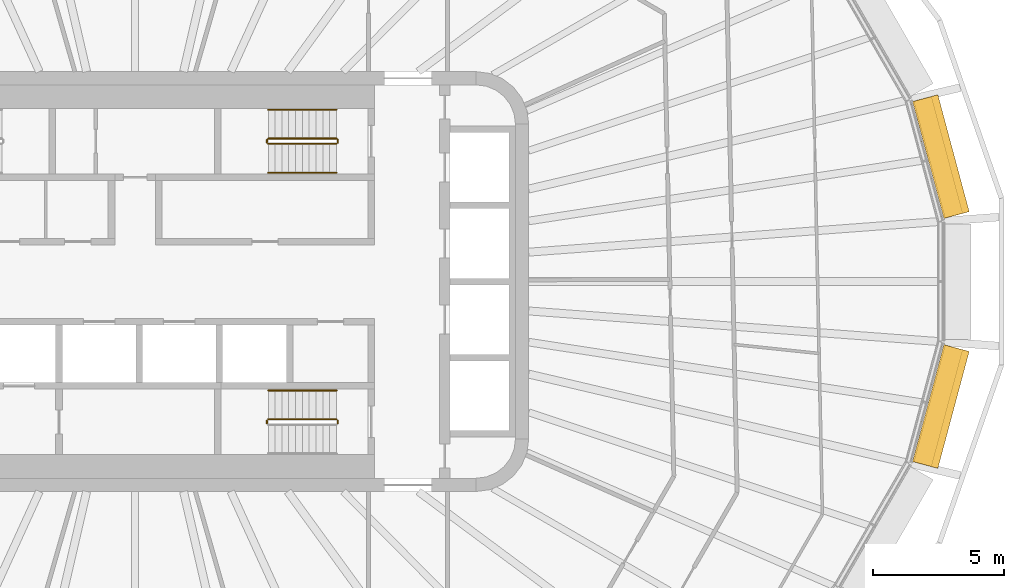
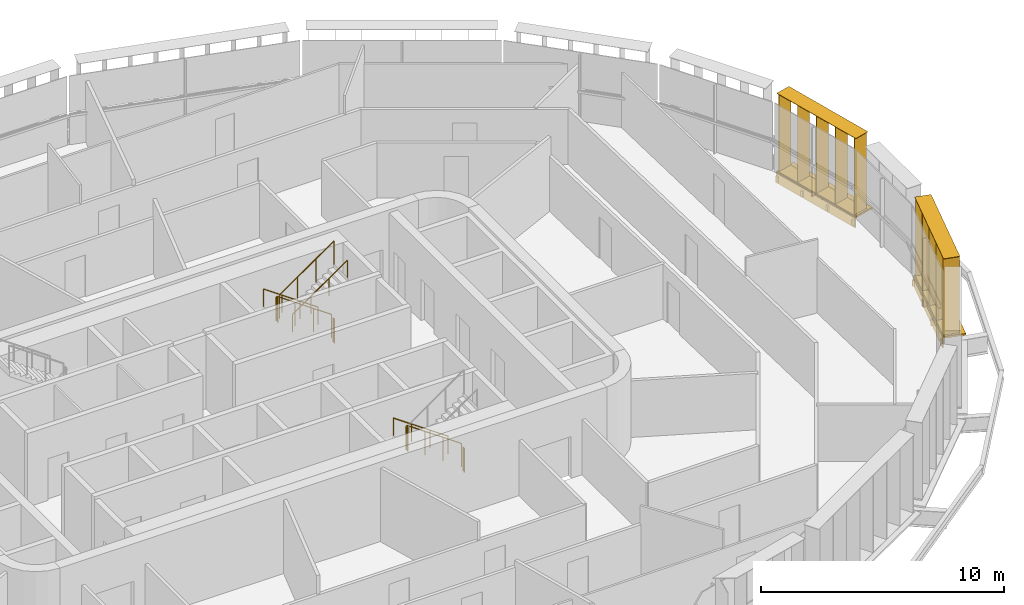
# One storey, part 20 of 22: 10 railings, 4 shading devices.
"""IFC4 building model written with IfcOpenShell, lengths in metres."""

from ifc_helpers import new_model, si_unit, direction, frame, origin, origin_2d, place, context, subcontext, project, spatial, rectangle, circle, extrude, material, type_object, element, save


model = new_model("IFC4")

# Units and contexts
model_context = context("Model", 3, precision=1e-05, world=origin(), true_north=direction((0.0, 1.0)))
body_context = subcontext(model_context, "Body", "Model", "MODEL_VIEW")
ifc_project = project(units=[si_unit("LENGTHUNIT", "METRE"), si_unit("AREAUNIT", "SQUARE_METRE"), si_unit("VOLUMEUNIT", "CUBIC_METRE"), si_unit("PLANEANGLEUNIT", "RADIAN"), si_unit("MASSUNIT", "GRAM", prefix="KILO")], contexts=[model_context])

# Site, building, storey
site_placement = place(None, origin())
site = spatial("IfcSite", under=ifc_project, at=site_placement, CompositionType="ELEMENT")
building_placement = place(site_placement, origin())
building = spatial("IfcBuilding", under=site, at=building_placement, Name="Sahrelin Media Tower", CompositionType="ELEMENT")
storey_placement = place(building_placement, frame((0.0, 0.0, 189.60009765625)))
storey = spatial("IfcBuildingStorey", under=building, at=storey_placement, Name="L40", CompositionType="ELEMENT", Elevation=189.60009765625)

# Shading devices
ifc_material_1 = material(Name="Champagne anodised aluminium 6063-T6", Category="aluminium")
shading_device_type_1 = type_object("IfcShadingDeviceType", Name="Fin cassette", PredefinedType="USERDEFINED", material=ifc_material_1)
placement_1 = place(storey_placement, frame((30.2041015625, 4.627197265625, 0.0), z_axis=(0.0, 0.0, 1.0), x_axis=(0.258807731996, -0.965928857556, 0.0)))
element("IfcShadingDevice", 1, at=placement_1, inside=storey, type_object=shading_device_type_1, Name="L40:FIN:L40-01", ObjectType="FIN", PredefinedType="USERDEFINED", context=body_context, shape_type="SweptSolid", body=[
    extrude(rectangle(XDim=4.60009765625, YDim=0.699951171875, at=origin_2d()), frame((0.0, 0.419921875, 0.0)), (0.0, 0.0, 1.0), 0.02001953125),
    extrude(rectangle(XDim=4.60009765625, YDim=0.699951171875, at=origin_2d()), frame((0.0, 0.419921875, 3.89990234375)), (0.0, 0.0, 1.0), 0.02001953125),
    extrude(rectangle(XDim=0.02001953125, YDim=0.699951171875, at=origin_2d()), frame((-2.199951171875, 0.419921875, 0.010009765625), z_axis=(0.0, 0.0, 1.0), x_axis=(1.0, 0.0, 0.0)), (0.0, 0.0, 1.0), 3.89990234375),
    extrude(rectangle(XDim=0.02001953125, YDim=0.699951171875, at=origin_2d()), frame((-1.10009765625, 0.419921875, 0.010009765625), z_axis=(0.0, 0.0, 1.0), x_axis=(1.0, 0.0, 0.0)), (0.0, 0.0, 1.0), 3.89990234375),
    extrude(rectangle(XDim=0.02001953125, YDim=0.699951171875, at=origin_2d()), frame((0.0, 0.419921875, 0.010009765625), z_axis=(0.0, 0.0, 1.0), x_axis=(1.0, 0.0, 0.0)), (0.0, 0.0, 1.0), 3.89990234375),
    extrude(rectangle(XDim=0.02001953125, YDim=0.699951171875, at=origin_2d()), frame((1.10009765625, 0.419921875, 0.010009765625), z_axis=(0.0, 0.0, 1.0), x_axis=(1.0, 0.0, 0.0)), (0.0, 0.0, 1.0), 3.89990234375),
    extrude(rectangle(XDim=0.02001953125, YDim=0.699951171875, at=origin_2d()), frame((2.199951171875, 0.419921875, 0.010009765625), z_axis=(0.0, 0.0, 1.0), x_axis=(1.0, 0.0, 0.0)), (0.0, 0.0, 1.0), 3.89990234375),
])
placement_2 = place(storey_placement, frame((30.2041015625, -4.627197265625, 0.0), z_axis=(0.0, 0.0, 1.0), x_axis=(-0.258807731996, -0.965928857556, 0.0)))
element("IfcShadingDevice", 2, at=placement_2, inside=storey, type_object=shading_device_type_1, Name="L40:FIN:L40-23", ObjectType="FIN", PredefinedType="USERDEFINED", context=body_context, shape_type="SweptSolid", body=[
    extrude(rectangle(XDim=4.60009765625, YDim=0.699951171875, at=origin_2d()), frame((0.0, 0.419921875, 0.0)), (0.0, 0.0, 1.0), 0.02001953125),
    extrude(rectangle(XDim=4.60009765625, YDim=0.699951171875, at=origin_2d()), frame((0.0, 0.419921875, 3.89990234375)), (0.0, 0.0, 1.0), 0.02001953125),
    extrude(rectangle(XDim=0.02001953125, YDim=0.699951171875, at=origin_2d()), frame((-2.199951171875, 0.419921875, 0.010009765625), z_axis=(0.0, 0.0, 1.0), x_axis=(1.0, 0.0, 0.0)), (0.0, 0.0, 1.0), 3.89990234375),
    extrude(rectangle(XDim=0.02001953125, YDim=0.699951171875, at=origin_2d()), frame((-1.10009765625, 0.419921875, 0.010009765625), z_axis=(0.0, 0.0, 1.0), x_axis=(1.0, 0.0, 0.0)), (0.0, 0.0, 1.0), 3.89990234375),
    extrude(rectangle(XDim=0.02001953125, YDim=0.699951171875, at=origin_2d()), frame((0.0, 0.419921875, 0.010009765625), z_axis=(0.0, 0.0, 1.0), x_axis=(1.0, 0.0, 0.0)), (0.0, 0.0, 1.0), 3.89990234375),
    extrude(rectangle(XDim=0.02001953125, YDim=0.699951171875, at=origin_2d()), frame((1.10009765625, 0.419921875, 0.010009765625), z_axis=(0.0, 0.0, 1.0), x_axis=(1.0, 0.0, 0.0)), (0.0, 0.0, 1.0), 3.89990234375),
    extrude(rectangle(XDim=0.02001953125, YDim=0.699951171875, at=origin_2d()), frame((2.199951171875, 0.419921875, 0.010009765625), z_axis=(0.0, 0.0, 1.0), x_axis=(1.0, 0.0, 0.0)), (0.0, 0.0, 1.0), 3.89990234375),
])

# Railings
ifc_material_2 = material(Name="Steel S355", Category="steel")
railing_type_1 = type_object("IfcRailingType", Name="Stair guard 1200", PredefinedType="GUARDRAIL", material=ifc_material_2)
railing_1_placement = place(storey_placement, frame((7.675048828125, 5.449951171875, 0.181640625)))
element("IfcRailing", 3, at=railing_1_placement, inside=storey, type_object=railing_type_1, Name="L40 ST3 stair guard 1", PredefinedType="GUARDRAIL", context=body_context, shape_type="SweptSolid", body=[
    extrude(circle(Radius=0.02392578125, at=origin_2d()), frame((0.0, 0.0, 1.17578125), z_axis=(-0.819484887739, 0.0, 0.573100792852), x_axis=(0.0, -1.0, 0.0)), (0.0, 0.0, 1.0), 3.1728515625),
    extrude(circle(Radius=0.02099609375, at=origin_2d()), origin(), (0.0, 0.0, 1.0), 1.15185546875),
    extrude(circle(Radius=0.02099609375, at=origin_2d()), frame((-0.86669921875, 0.0, 0.606201171875)), (0.0, 0.0, 1.0), 1.15185546875),
    extrude(circle(Radius=0.02099609375, at=origin_2d()), frame((-1.7333984375, 0.0, 1.212158203125)), (0.0, 0.0, 1.0), 1.15185546875),
    extrude(circle(Radius=0.02099609375, at=origin_2d()), frame((-2.60009765625, 0.0, 1.818359375)), (0.0, 0.0, 1.0), 1.15185546875),
])
railing_2_placement = place(storey_placement, frame((5.02490234375, 5.39990234375, 2.0)))
element("IfcRailing", 4, at=railing_2_placement, inside=storey, type_object=railing_type_1, Name="L40 ST3 stair guard 2", PredefinedType="GUARDRAIL", context=body_context, shape_type="SweptSolid", body=[
    extrude(circle(Radius=0.02392578125, at=origin_2d()), frame((0.0, 0.0, 1.17578125), z_axis=(0.0, -1.0, 0.0), x_axis=(1.0, 0.0, 0.0)), (0.0, 0.0, 1.0), 0.099853515625),
    extrude(circle(Radius=0.02099609375, at=origin_2d()), origin(), (0.0, 0.0, 1.0), 1.15185546875),
    extrude(circle(Radius=0.02099609375, at=origin_2d()), frame((0.0, -0.099853515625, 0.0)), (0.0, 0.0, 1.0), 1.15185546875),
])
railing_3_placement = place(storey_placement, frame((5.074951171875, 5.25, 2.181640625)))
element("IfcRailing", 5, at=railing_3_placement, inside=storey, type_object=railing_type_1, Name="L40 ST3 stair guard 3", PredefinedType="GUARDRAIL", context=body_context, shape_type="SweptSolid", body=[
    extrude(circle(Radius=0.02392578125, at=origin_2d()), frame((0.0, 0.0, 1.17578125), z_axis=(0.819484887739, 0.0, 0.573100792852), x_axis=(0.0, 1.0, 0.0)), (0.0, 0.0, 1.0), 3.1728515625),
    extrude(circle(Radius=0.02099609375, at=origin_2d()), origin(), (0.0, 0.0, 1.0), 1.15185546875),
    extrude(circle(Radius=0.02099609375, at=origin_2d()), frame((0.86669921875, 0.0, 0.606201171875)), (0.0, 0.0, 1.0), 1.15185546875),
    extrude(circle(Radius=0.02099609375, at=origin_2d()), frame((1.7333984375, 0.0, 1.212158203125)), (0.0, 0.0, 1.0), 1.15185546875),
    extrude(circle(Radius=0.02099609375, at=origin_2d()), frame((2.60009765625, 0.0, 1.818359375)), (0.0, 0.0, 1.0), 1.15185546875),
])
railing_4_placement = place(storey_placement, frame((7.72509765625, 5.39990234375, 0.0)))
element("IfcRailing", 6, at=railing_4_placement, inside=storey, type_object=railing_type_1, Name="L40 ST3 stair guard 4", PredefinedType="GUARDRAIL", context=body_context, shape_type="SweptSolid", body=[
    extrude(circle(Radius=0.02392578125, at=origin_2d()), frame((0.0, 0.0, 1.17578125), z_axis=(0.0, -1.0, 0.0), x_axis=(1.0, 0.0, 0.0)), (0.0, 0.0, 1.0), 0.099853515625),
    extrude(circle(Radius=0.02099609375, at=origin_2d()), origin(), (0.0, 0.0, 1.0), 1.15185546875),
    extrude(circle(Radius=0.02099609375, at=origin_2d()), frame((0.0, -0.099853515625, 0.0)), (0.0, 0.0, 1.0), 1.15185546875),
])
railing_5_placement = place(storey_placement, frame((7.675048828125, -5.25, 0.181640625)))
element("IfcRailing", 7, at=railing_5_placement, inside=storey, type_object=railing_type_1, Name="L40 ST2 stair guard 1", PredefinedType="GUARDRAIL", context=body_context, shape_type="SweptSolid", body=[
    extrude(circle(Radius=0.02392578125, at=origin_2d()), frame((0.0, 0.0, 1.17578125), z_axis=(-0.819484887739, 0.0, 0.573100792852), x_axis=(0.0, -1.0, 0.0)), (0.0, 0.0, 1.0), 3.1728515625),
    extrude(circle(Radius=0.02099609375, at=origin_2d()), origin(), (0.0, 0.0, 1.0), 1.15185546875),
    extrude(circle(Radius=0.02099609375, at=origin_2d()), frame((-0.86669921875, 0.0, 0.606201171875)), (0.0, 0.0, 1.0), 1.15185546875),
    extrude(circle(Radius=0.02099609375, at=origin_2d()), frame((-1.7333984375, 0.0, 1.212158203125)), (0.0, 0.0, 1.0), 1.15185546875),
    extrude(circle(Radius=0.02099609375, at=origin_2d()), frame((-2.60009765625, 0.0, 1.818359375)), (0.0, 0.0, 1.0), 1.15185546875),
])
for number, where, name in (
    (8, (5.02490234375, -5.300048828125, 2.0), "L40 ST2 stair guard 2"),
    (9, (7.72509765625, -5.300048828125, 0.0), "L40 ST2 stair guard 4"),
):
    element("IfcRailing", number, at=place(storey_placement, frame(where)), inside=storey, type_object=railing_type_1, Name=name, PredefinedType="GUARDRAIL", context=body_context, shape_type="SweptSolid", body=[
        extrude(circle(Radius=0.02392578125, at=origin_2d()), frame((0.0, 0.0, 1.17578125), z_axis=(0.0, -1.0, 0.0), x_axis=(1.0, 0.0, 0.0)), (0.0, 0.0, 1.0), 0.099853515625),
        extrude(circle(Radius=0.02099609375, at=origin_2d()), origin(), (0.0, 0.0, 1.0), 1.15185546875),
        extrude(circle(Radius=0.02099609375, at=origin_2d()), frame((0.0, -0.099853515625, 0.0)), (0.0, 0.0, 1.0), 1.15185546875),
    ])
railing_type_2 = type_object("IfcRailingType", Name="Stair handrail 900", PredefinedType="HANDRAIL", material=ifc_material_2)
railing_6_placement = place(storey_placement, frame((7.675048828125, 6.550048828125, 0.181640625)))
element("IfcRailing", 10, at=railing_6_placement, inside=storey, type_object=railing_type_2, Name="L40 ST3 stair handrail 1", PredefinedType="HANDRAIL", context=body_context, shape_type="SweptSolid", body=[
    extrude(circle(Radius=0.02392578125, at=origin_2d()), frame((0.0, 0.0, 0.8759765625), z_axis=(-0.819484887739, 0.0, 0.573100792852), x_axis=(0.0, -1.0, 0.0)), (0.0, 0.0, 1.0), 3.1728515625),
    extrude(circle(Radius=0.02099609375, at=origin_2d()), origin(), (0.0, 0.0, 1.0), 0.851806640625),
    extrude(circle(Radius=0.02099609375, at=origin_2d()), frame((-0.86669921875, 0.0, 0.606201171875)), (0.0, 0.0, 1.0), 0.851806640625),
    extrude(circle(Radius=0.02099609375, at=origin_2d()), frame((-1.7333984375, 0.0, 1.212158203125)), (0.0, 0.0, 1.0), 0.851806640625),
    extrude(circle(Radius=0.02099609375, at=origin_2d()), frame((-2.60009765625, 0.0, 1.818359375)), (0.0, 0.0, 1.0), 0.851806640625),
])
railing_7_placement = place(storey_placement, frame((5.074951171875, 4.14990234375, 2.181640625)))
element("IfcRailing", 11, at=railing_7_placement, inside=storey, type_object=railing_type_2, Name="L40 ST3 stair handrail 2", PredefinedType="HANDRAIL", context=body_context, shape_type="SweptSolid", body=[
    extrude(circle(Radius=0.02392578125, at=origin_2d()), frame((0.0, 0.0, 0.8759765625), z_axis=(0.819484887739, 0.0, 0.573100792852), x_axis=(0.0, 1.0, 0.0)), (0.0, 0.0, 1.0), 3.1728515625),
    extrude(circle(Radius=0.02099609375, at=origin_2d()), origin(), (0.0, 0.0, 1.0), 0.851806640625),
    extrude(circle(Radius=0.02099609375, at=origin_2d()), frame((0.86669921875, 0.0, 0.606201171875)), (0.0, 0.0, 1.0), 0.851806640625),
    extrude(circle(Radius=0.02099609375, at=origin_2d()), frame((1.7333984375, 0.0, 1.212158203125)), (0.0, 0.0, 1.0), 0.851806640625),
    extrude(circle(Radius=0.02099609375, at=origin_2d()), frame((2.60009765625, 0.0, 1.818359375)), (0.0, 0.0, 1.0), 0.851806640625),
])
railing_8_placement = place(storey_placement, frame((7.675048828125, -4.14990234375, 0.181640625)))
element("IfcRailing", 12, at=railing_8_placement, inside=storey, type_object=railing_type_2, Name="L40 ST2 stair handrail 1", PredefinedType="HANDRAIL", context=body_context, shape_type="SweptSolid", body=[
    extrude(circle(Radius=0.02392578125, at=origin_2d()), frame((0.0, 0.0, 0.8759765625), z_axis=(-0.819484887739, 0.0, 0.573100792852), x_axis=(0.0, -1.0, 0.0)), (0.0, 0.0, 1.0), 3.1728515625),
    extrude(circle(Radius=0.02099609375, at=origin_2d()), origin(), (0.0, 0.0, 1.0), 0.851806640625),
    extrude(circle(Radius=0.02099609375, at=origin_2d()), frame((-0.86669921875, 0.0, 0.606201171875)), (0.0, 0.0, 1.0), 0.851806640625),
    extrude(circle(Radius=0.02099609375, at=origin_2d()), frame((-1.7333984375, 0.0, 1.212158203125)), (0.0, 0.0, 1.0), 0.851806640625),
    extrude(circle(Radius=0.02099609375, at=origin_2d()), frame((-2.60009765625, 0.0, 1.818359375)), (0.0, 0.0, 1.0), 0.851806640625),
])

# Shading devices
shading_device_type_2 = type_object("IfcShadingDeviceType", Name="Sunshade band", PredefinedType="USERDEFINED", material=ifc_material_1)
element("IfcShadingDevice", 13, at=placement_1, inside=storey, type_object=shading_device_type_2, Name="L40:SUN:L40-01", ObjectType="SUNSHADE", PredefinedType="USERDEFINED", context=body_context, shape_type="SweptSolid", body=[
    extrude(rectangle(XDim=4.61474609375, YDim=0.050048828125, at=origin_2d()), frame((0.0, 0.044921875, -0.55126953125)), (0.0, 0.0, 1.0), 0.471435546875),
    extrude(rectangle(XDim=4.61474609375, YDim=1.0, at=origin_2d()), frame((0.0, 0.52001953125, -0.080078125)), (0.0, 0.0, 1.0), 0.080078125),
    extrude(rectangle(XDim=0.10009765625, YDim=0.074951171875, at=origin_2d()), frame((-2.20751953125, -0.017578125, -0.47021484375)), (0.0, 0.0, 1.0), 0.300048828125),
    extrude(rectangle(XDim=0.10009765625, YDim=0.074951171875, at=origin_2d()), frame((-0.73583984375, -0.017578125, -0.47021484375)), (0.0, 0.0, 1.0), 0.300048828125),
    extrude(rectangle(XDim=0.10009765625, YDim=0.074951171875, at=origin_2d()), frame((0.73583984375, -0.017578125, -0.47021484375)), (0.0, 0.0, 1.0), 0.300048828125),
    extrude(rectangle(XDim=0.10009765625, YDim=0.074951171875, at=origin_2d()), frame((2.20751953125, -0.017578125, -0.47021484375)), (0.0, 0.0, 1.0), 0.300048828125),
])
element("IfcShadingDevice", 14, at=placement_2, inside=storey, type_object=shading_device_type_2, Name="L40:SUN:L40-23", ObjectType="SUNSHADE", PredefinedType="USERDEFINED", context=body_context, shape_type="SweptSolid", body=[
    extrude(rectangle(XDim=4.61474609375, YDim=0.050048828125, at=origin_2d()), frame((0.0, 0.044921875, -0.55126953125)), (0.0, 0.0, 1.0), 0.471435546875),
    extrude(rectangle(XDim=4.61474609375, YDim=1.0, at=origin_2d()), frame((0.0, 0.52001953125, -0.080078125)), (0.0, 0.0, 1.0), 0.080078125),
    extrude(rectangle(XDim=0.10009765625, YDim=0.074951171875, at=origin_2d()), frame((-2.20751953125, -0.017578125, -0.47021484375)), (0.0, 0.0, 1.0), 0.300048828125),
    extrude(rectangle(XDim=0.10009765625, YDim=0.074951171875, at=origin_2d()), frame((-0.73583984375, -0.017578125, -0.47021484375)), (0.0, 0.0, 1.0), 0.300048828125),
    extrude(rectangle(XDim=0.10009765625, YDim=0.074951171875, at=origin_2d()), frame((0.73583984375, -0.017578125, -0.47021484375)), (0.0, 0.0, 1.0), 0.300048828125),
    extrude(rectangle(XDim=0.10009765625, YDim=0.074951171875, at=origin_2d()), frame((2.20751953125, -0.017578125, -0.47021484375)), (0.0, 0.0, 1.0), 0.300048828125),
])

save(model, "model.ifc")
